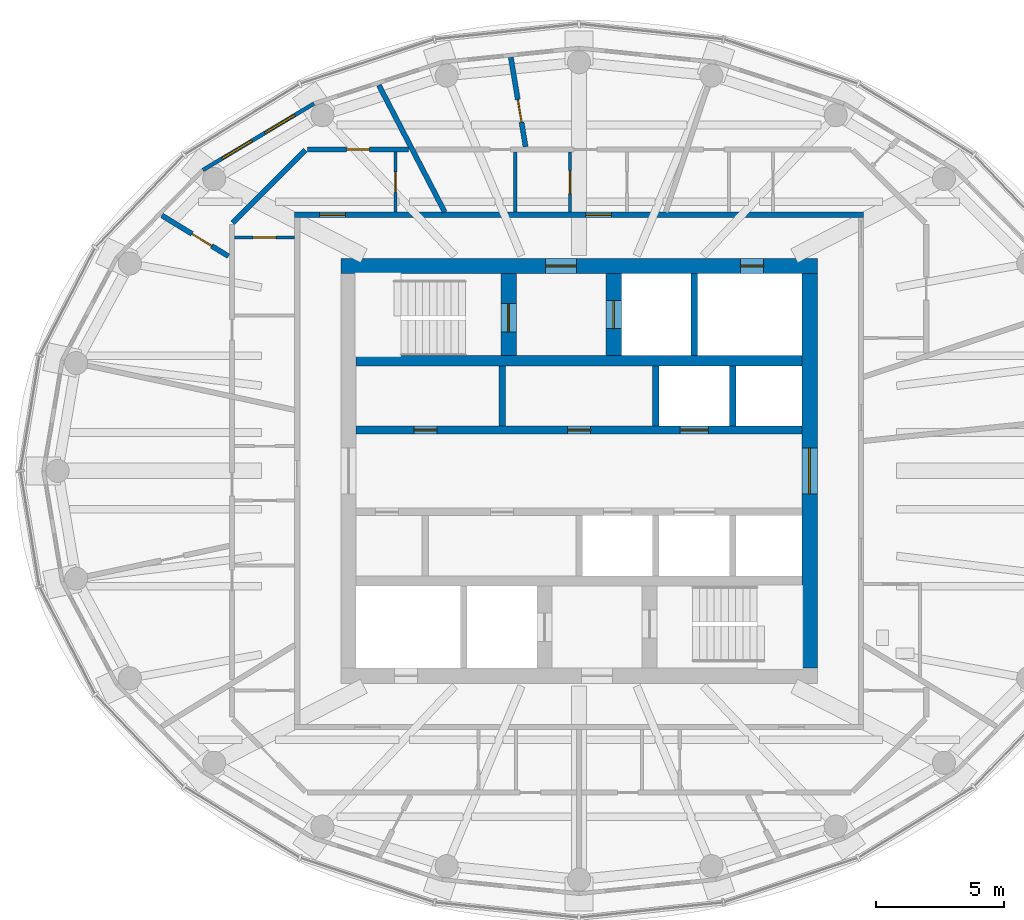
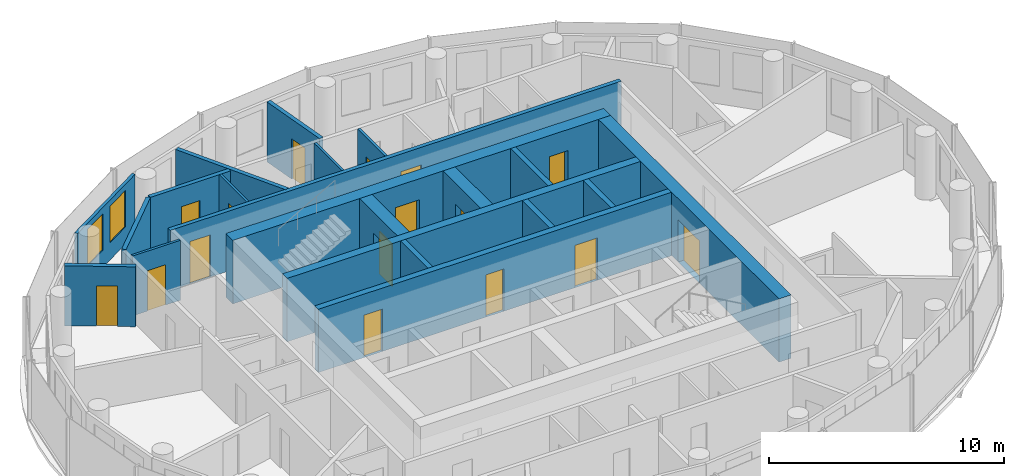
# One storey, part 7 of 11: 21 walls, 16 doors, 2 windows, 18 openings.
"""IFC4 building model written with IfcOpenShell, lengths in metres."""

from ifc_helpers import new_model, si_unit, direction, frame, frame_2d, origin, place, context, subcontext, project, spatial, rectangle, extrude, material, layer, layer_set, type_object, element, fill, save


model = new_model("IFC4")

# Units and contexts
model_context = context("Model", 3, precision=1e-05, world=origin(), true_north=direction((0.0, 1.0)))
body_context = subcontext(model_context, "Body", "Model", "MODEL_VIEW")
ifc_project = project(units=[si_unit("LENGTHUNIT", "METRE"), si_unit("AREAUNIT", "SQUARE_METRE"), si_unit("VOLUMEUNIT", "CUBIC_METRE"), si_unit("PLANEANGLEUNIT", "RADIAN"), si_unit("MASSUNIT", "GRAM", prefix="KILO")], contexts=[model_context])

# Site, building, storey
site_placement = place(None, origin())
site = spatial("IfcSite", under=ifc_project, at=site_placement, CompositionType="ELEMENT")
building_placement = place(site_placement, origin())
building = spatial("IfcBuilding", under=site, at=building_placement, Name="Hankou Lantern Tower", CompositionType="ELEMENT")
storey_placement = place(building_placement, frame((0.0, 0.0, 192.89990234375)))
storey = spatial("IfcBuildingStorey", under=building, at=storey_placement, Name="L51", CompositionType="ELEMENT", Elevation=192.89990234375)

# Wall, openings, doors
ifc_material_1 = material(Name="Concrete C60", Category="concrete")
ifc_layer_1 = layer(ifc_material_1, 0.60009765625)
ifc_layer_set_1 = layer_set([ifc_layer_1], Name="Concrete C60")
wall_type_1 = type_object("IfcWallType", Name="CW3 CORE WALL 600", PredefinedType="SHEAR", material=ifc_layer_set_1)
wall_1_placement = place(storey_placement, frame((-9.300048828125, 8.0, 0.0), z_axis=(0.0, 0.0, 1.0), x_axis=(1.0, 0.0, 0.0)))
wall_1 = element("IfcWall", 1, at=wall_1_placement, inside=storey, type_object=wall_type_1, Name="Core wall north L51", PredefinedType="SHEAR", context=body_context, shape_type="SweptSolid", body=[
    extrude(rectangle(XDim=18.60009765625, YDim=0.60009765625, at=frame_2d((9.300048828125, 0.0))), origin(), (0.0, 0.0, 1.0), 3.300048828125),
])
opening_1_placement = place(wall_1_placement, frame((8.0, 0.0, 0.0)))
opening_1 = element("IfcOpeningElement", 2, at=opening_1_placement, cuts=wall_1, Name="Opening D5", PredefinedType="OPENING", context=body_context, shape_type="SweptSolid", body=[
    extrude(rectangle(XDim=1.199951171875, YDim=2.199951171875, at=frame_2d((0.60009765625, 1.10009765625))), frame((0.0, 0.31005859375, 0.0), z_axis=(0.0, -1.0, 0.0), x_axis=(1.0, 0.0, 0.0)), (0.0, 0.0, 1.0), 0.6201171875),
])
opening_2_placement = place(wall_1_placement, frame((15.60009765625, 0.0, 0.0)))
opening_2 = element("IfcOpeningElement", 3, at=opening_2_placement, cuts=wall_1, Name="Opening D7", PredefinedType="OPENING", context=body_context, shape_type="SweptSolid", body=[
    extrude(rectangle(XDim=0.89990234375, YDim=2.199951171875, at=frame_2d((0.449951171875, 1.10009765625))), frame((0.0, 0.31005859375, 0.0), z_axis=(0.0, -1.0, 0.0), x_axis=(1.0, 0.0, 0.0)), (0.0, 0.0, 1.0), 0.6201171875),
])
ifc_material_2 = material(Name="Steel door leaf", Category="steel")
door_type_1 = type_object("IfcDoorType", Name="D5 STAIR LOBBY DOOR 1200X2200", OperationType="SINGLE_SWING_LEFT", PredefinedType="DOOR", material=ifc_material_2)
door_1_placement = place(opening_1_placement, origin())
door_1 = element("IfcDoor", 4, at=door_1_placement, inside=storey, type_object=door_type_1, Name="Stair A lobby door", OperationType="SINGLE_SWING_LEFT", OverallHeight=2.199951171875, OverallWidth=1.199951171875, PredefinedType="DOOR", context=body_context, shape_type="SweptSolid", body=[
    extrude(rectangle(XDim=1.199951171875, YDim=2.199951171875, at=frame_2d((0.60009765625, 1.10009765625))), frame((0.0, 0.02490234375, 0.0), z_axis=(0.0, -1.0, 0.0), x_axis=(1.0, 0.0, 0.0)), (0.0, 0.0, 1.0), 0.050048828125),
])
fill(opening_1, door_1)
ifc_material_3 = material(Name="Steel door leaf", Category="steel")
door_type_2 = type_object("IfcDoorType", Name="D7 RISER DOOR 900X2200", OperationType="SINGLE_SWING_LEFT", PredefinedType="DOOR", material=ifc_material_3)
door_2_placement = place(opening_2_placement, origin())
door_2 = element("IfcDoor", 5, at=door_2_placement, inside=storey, type_object=door_type_2, Name="Riser N1 door", OperationType="SINGLE_SWING_RIGHT", OverallHeight=2.199951171875, OverallWidth=0.89990234375, PredefinedType="DOOR", context=body_context, shape_type="SweptSolid", body=[
    extrude(rectangle(XDim=0.89990234375, YDim=2.199951171875, at=frame_2d((0.449951171875, 1.10009765625))), frame((0.0, 0.02490234375, 0.0), z_axis=(0.0, -1.0, 0.0), x_axis=(1.0, 0.0, 0.0)), (0.0, 0.0, 1.0), 0.050048828125),
])
fill(opening_2, door_2)

# Wall, opening, door
wall_2_placement = place(storey_placement, frame((9.0, -7.699951171875, 0.0), z_axis=(0.0, 0.0, 1.0), x_axis=(0.0, 1.0, 0.0)))
wall_2 = element("IfcWall", 6, at=wall_2_placement, inside=storey, type_object=wall_type_1, Name="Core wall east L51", PredefinedType="SHEAR", context=body_context, shape_type="SweptSolid", body=[
    extrude(rectangle(XDim=15.39990234375, YDim=0.60009765625, at=frame_2d((7.699951171875, 0.0))), origin(), (0.0, 0.0, 1.0), 3.300048828125),
])
opening_3_placement = place(wall_2_placement, frame((6.800048828125, 0.0, 0.0)))
opening_3 = element("IfcOpeningElement", 7, at=opening_3_placement, cuts=wall_2, Name="Opening D6", PredefinedType="OPENING", context=body_context, shape_type="SweptSolid", body=[
    extrude(rectangle(XDim=1.800048828125, YDim=2.199951171875, at=frame_2d((0.89990234375, 1.10009765625))), frame((0.0, 0.31005859375, 0.0), z_axis=(0.0, -1.0, 0.0), x_axis=(1.0, 0.0, 0.0)), (0.0, 0.0, 1.0), 0.6201171875),
])
ifc_material_4 = material(Name="Steel door leaf", Category="steel")
door_type_3 = type_object("IfcDoorType", Name="D6 LIFT LOBBY DOOR 1800X2200", OperationType="DOUBLE_DOOR_DOUBLE_SWING", PredefinedType="DOOR", material=ifc_material_4)
door_3_placement = place(opening_3_placement, origin())
door_3 = element("IfcDoor", 8, at=door_3_placement, inside=storey, type_object=door_type_3, Name="Lift lobby east door", OperationType="DOUBLE_DOOR_DOUBLE_SWING", OverallHeight=2.199951171875, OverallWidth=1.800048828125, PredefinedType="DOOR", context=body_context, shape_type="SweptSolid", body=[
    extrude(rectangle(XDim=1.800048828125, YDim=2.199951171875, at=frame_2d((0.89990234375, 1.10009765625))), frame((0.0, 0.02490234375, 0.0), z_axis=(0.0, -1.0, 0.0), x_axis=(1.0, 0.0, 0.0)), (0.0, 0.0, 1.0), 0.050048828125),
])
fill(opening_3, door_3)

# Wall
ifc_material_5 = material(Name="Concrete C60", Category="concrete")
ifc_layer_2 = layer(ifc_material_5, 0.39990234375)
ifc_layer_set_2 = layer_set([ifc_layer_2], Name="Concrete C60")
wall_type_2 = type_object("IfcWallType", Name="CW4 CORE CROSS WALL 400", PredefinedType="SHEAR", material=ifc_layer_set_2)
wall_3_placement = place(storey_placement, frame((-8.699951171875, 4.300048828125, 0.0), z_axis=(0.0, 0.0, 1.0), x_axis=(1.0, 0.0, 0.0)))
element("IfcWall", 9, at=wall_3_placement, inside=storey, type_object=wall_type_2, Name="Core band wall north L51", PredefinedType="SHEAR", context=body_context, shape_type="SweptSolid", body=[
    extrude(rectangle(XDim=17.39990234375, YDim=0.39990234375, at=frame_2d((8.699951171875, 0.0))), origin(), (0.0, 0.0, 1.0), 3.300048828125),
])

# Wall, openings, doors
ifc_material_6 = material(Name="Concrete C60", Category="concrete")
ifc_layer_3 = layer(ifc_material_6, 0.300048828125)
ifc_layer_set_3 = layer_set([ifc_layer_3], Name="Concrete C60")
wall_type_3 = type_object("IfcWallType", Name="CW5 LIFT LOBBY WALL 300", PredefinedType="SHEAR", material=ifc_layer_set_3)
wall_4_placement = place(storey_placement, frame((-8.699951171875, 1.60009765625, 0.0), z_axis=(0.0, 0.0, 1.0), x_axis=(1.0, 0.0, 0.0)))
wall_4 = element("IfcWall", 10, at=wall_4_placement, inside=storey, type_object=wall_type_3, Name="Lift lobby wall north L51", PredefinedType="SHEAR", context=body_context, shape_type="SweptSolid", body=[
    extrude(rectangle(XDim=17.39990234375, YDim=0.300048828125, at=frame_2d((8.699951171875, 0.0))), origin(), (0.0, 0.0, 1.0), 3.300048828125),
])
opening_4_placement = place(wall_4_placement, frame((12.64990234375, 0.0, 0.0)))
opening_4 = element("IfcOpeningElement", 11, at=opening_4_placement, cuts=wall_4, Name="Opening LD1", PredefinedType="OPENING", context=body_context, shape_type="SweptSolid", body=[
    extrude(rectangle(XDim=1.10009765625, YDim=2.199951171875, at=frame_2d((0.550048828125, 1.10009765625))), frame((0.0, 0.159912109375, 0.0), z_axis=(0.0, -1.0, 0.0), x_axis=(1.0, 0.0, 0.0)), (0.0, 0.0, 1.0), 0.320068359375),
])
opening_5_placement = place(wall_4_placement, frame((2.25, 0.0, 0.0)))
opening_5 = element("IfcOpeningElement", 12, at=opening_5_placement, cuts=wall_4, Name="Opening D30", PredefinedType="OPENING", context=body_context, shape_type="SweptSolid", body=[
    extrude(rectangle(XDim=0.89990234375, YDim=2.199951171875, at=frame_2d((0.449951171875, 1.10009765625))), frame((0.0, 0.159912109375, 0.0), z_axis=(0.0, -1.0, 0.0), x_axis=(1.0, 0.0, 0.0)), (0.0, 0.0, 1.0), 0.320068359375),
])
opening_6_placement = place(wall_4_placement, frame((8.25, 0.0, 0.0)))
opening_6 = element("IfcOpeningElement", 13, at=opening_6_placement, cuts=wall_4, Name="Opening D30", PredefinedType="OPENING", context=body_context, shape_type="SweptSolid", body=[
    extrude(rectangle(XDim=0.89990234375, YDim=2.199951171875, at=frame_2d((0.449951171875, 1.10009765625))), frame((0.0, 0.159912109375, 0.0), z_axis=(0.0, -1.0, 0.0), x_axis=(1.0, 0.0, 0.0)), (0.0, 0.0, 1.0), 0.320068359375),
])
ifc_material_7 = material(Name="Steel door leaf", Category="steel")
door_type_4 = type_object("IfcDoorType", Name="D30 CORE ROOM DOOR 900X2200", OperationType="SINGLE_SWING_LEFT", PredefinedType="DOOR", material=ifc_material_7)
door_4_placement = place(opening_5_placement, origin())
door_4 = element("IfcDoor", 14, at=door_4_placement, inside=storey, type_object=door_type_4, Name="Staff locker room door", OperationType="SINGLE_SWING_LEFT", OverallHeight=2.199951171875, OverallWidth=0.89990234375, PredefinedType="DOOR", context=body_context, shape_type="SweptSolid", body=[
    extrude(rectangle(XDim=0.89990234375, YDim=2.199951171875, at=frame_2d((0.449951171875, 1.10009765625))), frame((0.0, 0.02490234375, 0.0), z_axis=(0.0, -1.0, 0.0), x_axis=(1.0, 0.0, 0.0)), (0.0, 0.0, 1.0), 0.050048828125),
])
fill(opening_5, door_4)
door_5_placement = place(opening_6_placement, origin())
door_5 = element("IfcDoor", 15, at=door_5_placement, inside=storey, type_object=door_type_4, Name="IT and telecoms room door", OperationType="SINGLE_SWING_LEFT", OverallHeight=2.199951171875, OverallWidth=0.89990234375, PredefinedType="DOOR", context=body_context, shape_type="SweptSolid", body=[
    extrude(rectangle(XDim=0.89990234375, YDim=2.199951171875, at=frame_2d((0.449951171875, 1.10009765625))), frame((0.0, 0.02490234375, 0.0), z_axis=(0.0, -1.0, 0.0), x_axis=(1.0, 0.0, 0.0)), (0.0, 0.0, 1.0), 0.050048828125),
])
fill(opening_6, door_5)
ifc_material_8 = material(Name="Steel door leaf", Category="steel")
door_type_5 = type_object("IfcDoorType", Name="LD1 LIFT LANDING DOOR 1100X2200", OperationType="DOUBLE_DOOR_SLIDING", PredefinedType="DOOR", material=ifc_material_8)
door_6_placement = place(opening_4_placement, origin())
door_6 = element("IfcDoor", 16, at=door_6_placement, inside=storey, type_object=door_type_5, Name="Lift T1 landing door", OperationType="DOUBLE_DOOR_SLIDING", OverallHeight=2.199951171875, OverallWidth=1.10009765625, PredefinedType="DOOR", context=body_context, shape_type="SweptSolid", body=[
    extrude(rectangle(XDim=1.10009765625, YDim=2.199951171875, at=frame_2d((0.550048828125, 1.10009765625))), frame((0.0, 0.02490234375, 0.0), z_axis=(0.0, -1.0, 0.0), x_axis=(1.0, 0.0, 0.0)), (0.0, 0.0, 1.0), 0.050048828125),
])
fill(opening_4, door_6)

# Wall, opening, door
ifc_material_9 = material(Name="Concrete C60", Category="concrete")
ifc_layer_4 = layer(ifc_material_9, 0.60009765625)
ifc_layer_set_4 = layer_set([ifc_layer_4], Name="Concrete C60")
wall_type_4 = type_object("IfcWallType", Name="CW6 STAIR AND SHAFT WALL 600", PredefinedType="SHEAR", material=ifc_layer_set_4)
wall_5_placement = place(storey_placement, frame((-2.75, 4.5, 0.0), z_axis=(0.0, 0.0, 1.0), x_axis=(0.0, 1.0, 0.0)))
wall_5 = element("IfcWall", 17, at=wall_5_placement, inside=storey, type_object=wall_type_4, Name="Stair wall L51", PredefinedType="SHEAR", context=body_context, shape_type="SweptSolid", body=[
    extrude(rectangle(XDim=3.199951171875, YDim=0.60009765625, at=frame_2d((1.60009765625, 0.0))), origin(), (0.0, 0.0, 1.0), 3.300048828125),
])
opening_7_placement = place(wall_5_placement, frame((0.925048828125, 0.0, 0.0)))
opening_7 = element("IfcOpeningElement", 18, at=opening_7_placement, cuts=wall_5, Name="Opening D4", PredefinedType="OPENING", context=body_context, shape_type="SweptSolid", body=[
    extrude(rectangle(XDim=1.10009765625, YDim=2.199951171875, at=frame_2d((0.550048828125, 1.10009765625))), frame((0.0, 0.31005859375, 0.0), z_axis=(0.0, -1.0, 0.0), x_axis=(1.0, 0.0, 0.0)), (0.0, 0.0, 1.0), 0.6201171875),
])
ifc_material_10 = material(Name="Steel door leaf", Category="steel")
door_type_6 = type_object("IfcDoorType", Name="D4 STAIR DOOR 1100X2200", OperationType="SINGLE_SWING_LEFT", PredefinedType="DOOR", material=ifc_material_10)
door_7_placement = place(opening_7_placement, origin())
door_7 = element("IfcDoor", 19, at=door_7_placement, inside=storey, type_object=door_type_6, Name="Stair A door", OperationType="SINGLE_SWING_LEFT", OverallHeight=2.199951171875, OverallWidth=1.10009765625, PredefinedType="DOOR", context=body_context, shape_type="SweptSolid", body=[
    extrude(rectangle(XDim=1.10009765625, YDim=2.199951171875, at=frame_2d((0.550048828125, 1.10009765625))), frame((0.0, 0.02490234375, 0.0), z_axis=(0.0, -1.0, 0.0), x_axis=(1.0, 0.0, 0.0)), (0.0, 0.0, 1.0), 0.050048828125),
])
fill(opening_7, door_7)

wall_6_placement = place(storey_placement, frame((1.35009765625, 4.5, 0.0), z_axis=(0.0, 0.0, 1.0), x_axis=(0.0, 1.0, 0.0)))
wall_6 = element("IfcWall", 20, at=wall_6_placement, inside=storey, type_object=wall_type_4, Name="Firefighting lift shaft wall L51", PredefinedType="SHEAR", context=body_context, shape_type="SweptSolid", body=[
    extrude(rectangle(XDim=3.199951171875, YDim=0.60009765625, at=frame_2d((1.60009765625, 0.0))), origin(), (0.0, 0.0, 1.0), 3.300048828125),
])
opening_8_placement = place(wall_6_placement, frame((1.050048828125, 0.0, 0.0)))
opening_8 = element("IfcOpeningElement", 21, at=opening_8_placement, cuts=wall_6, Name="Opening LD2", PredefinedType="OPENING", context=body_context, shape_type="SweptSolid", body=[
    extrude(rectangle(XDim=1.10009765625, YDim=2.199951171875, at=frame_2d((0.550048828125, 1.10009765625))), frame((0.0, 0.31005859375, 0.0), z_axis=(0.0, -1.0, 0.0), x_axis=(1.0, 0.0, 0.0)), (0.0, 0.0, 1.0), 0.6201171875),
])
ifc_material_11 = material(Name="Steel door leaf", Category="steel")
door_type_7 = type_object("IfcDoorType", Name="LD2 FIREFIGHTING LIFT LANDING DOOR 1100X2200", OperationType="DOUBLE_DOOR_SLIDING", PredefinedType="DOOR", material=ifc_material_11)
door_8_placement = place(opening_8_placement, origin())
door_8 = element("IfcDoor", 22, at=door_8_placement, inside=storey, type_object=door_type_7, Name="Firefighting lift FL1 landing door", OperationType="DOUBLE_DOOR_SLIDING", OverallHeight=2.199951171875, OverallWidth=1.10009765625, PredefinedType="DOOR", context=body_context, shape_type="SweptSolid", body=[
    extrude(rectangle(XDim=1.10009765625, YDim=2.199951171875, at=frame_2d((0.550048828125, 1.10009765625))), frame((0.0, 0.02490234375, 0.0), z_axis=(0.0, -1.0, 0.0), x_axis=(1.0, 0.0, 0.0)), (0.0, 0.0, 1.0), 0.050048828125),
])
fill(opening_8, door_8)

# Wall, openings, windows
ifc_material_12 = material(Name="Aluminium spandrel panel on steel studs", Category="steel")
ifc_layer_5 = layer(ifc_material_12, 0.14990234375)
ifc_layer_set_5 = layer_set([ifc_layer_5], Name="Aluminium spandrel panel on steel studs")
wall_type_5 = type_object("IfcWallType", Name="EW1 INNER SKIN WALL 150", PredefinedType="ELEMENTEDWALL", material=ifc_layer_set_5)
wall_7_placement = place(storey_placement, frame((-10.346435546875, 14.33642578125, 0.0), z_axis=(0.0, 0.0, 1.0), x_axis=(-0.85822150553, -0.513279502265, 0.0)))
wall_7 = element("IfcWall", 23, at=wall_7_placement, inside=storey, type_object=wall_type_5, Name="Inner skin R09-R10 L51", PredefinedType="ELEMENTEDWALL", context=body_context, shape_type="SweptSolid", body=[
    extrude(rectangle(XDim=5.050048828125, YDim=0.14990234375, at=frame_2d((2.52490234375, 0.0))), origin(), (0.0, 0.0, 1.0), 3.1201171875),
])
opening_9_placement = place(wall_7_placement, frame((0.875, 0.0, 0.89990234375)))
opening_9 = element("IfcOpeningElement", 24, at=opening_9_placement, cuts=wall_7, Name="Opening W4", PredefinedType="OPENING", context=body_context, shape_type="SweptSolid", body=[
    extrude(rectangle(XDim=1.35009765625, YDim=1.89990234375, at=frame_2d((0.675048828125, 0.949951171875))), frame((0.0, 0.0849609375, 0.0), z_axis=(0.0, -1.0, 0.0), x_axis=(1.0, 0.0, 0.0)), (0.0, 0.0, 1.0), 0.169921875),
])
opening_10_placement = place(wall_7_placement, frame((2.824951171875, 0.0, 0.89990234375)))
opening_10 = element("IfcOpeningElement", 25, at=opening_10_placement, cuts=wall_7, Name="Opening W4", PredefinedType="OPENING", context=body_context, shape_type="SweptSolid", body=[
    extrude(rectangle(XDim=1.35009765625, YDim=1.89990234375, at=frame_2d((0.675048828125, 0.949951171875))), frame((0.0, 0.0849609375, 0.0), z_axis=(0.0, -1.0, 0.0), x_axis=(1.0, 0.0, 0.0)), (0.0, 0.0, 1.0), 0.169921875),
])
ifc_material_13 = material(Name="Aluminium framed double glazed window", Category="aluminium")
window_type = type_object("IfcWindowType", Name="W4 SUITE WINDOW 1350X1900", PartitioningType="DOUBLE_PANEL_VERTICAL", PredefinedType="WINDOW", material=ifc_material_13)
window_1_placement = place(opening_9_placement, origin())
window_1 = element("IfcWindow", 26, at=window_1_placement, inside=storey, type_object=window_type, Name="Window R09.1 L51", OverallHeight=1.89990234375, OverallWidth=1.35009765625, PartitioningType="SINGLE_PANEL", PredefinedType="WINDOW", context=body_context, shape_type="SweptSolid", body=[
    extrude(rectangle(XDim=1.35009765625, YDim=1.89990234375, at=frame_2d((0.675048828125, 0.949951171875))), frame((0.0, 0.030029296875, 0.0), z_axis=(0.0, -1.0, 0.0), x_axis=(1.0, 0.0, 0.0)), (0.0, 0.0, 1.0), 0.06005859375),
])
fill(opening_9, window_1)
window_2_placement = place(opening_10_placement, origin())
window_2 = element("IfcWindow", 27, at=window_2_placement, inside=storey, type_object=window_type, Name="Window R09.2 L51", OverallHeight=1.89990234375, OverallWidth=1.35009765625, PartitioningType="SINGLE_PANEL", PredefinedType="WINDOW", context=body_context, shape_type="SweptSolid", body=[
    extrude(rectangle(XDim=1.35009765625, YDim=1.89990234375, at=frame_2d((0.675048828125, 0.949951171875))), frame((0.0, 0.030029296875, 0.0), z_axis=(0.0, -1.0, 0.0), x_axis=(1.0, 0.0, 0.0)), (0.0, 0.0, 1.0), 0.06005859375),
])
fill(opening_10, window_2)

# Wall
ifc_material_14 = material(Name="Masonry lightweight concrete block", Category="masonry")
ifc_layer_6 = layer(ifc_material_14, 0.199951171875)
ifc_layer_set_6 = layer_set([ifc_layer_6], Name="Masonry lightweight concrete block")
wall_type_6 = type_object("IfcWallType", Name="IW1 GUEST ROOM PARTY WALL 200", PredefinedType="PARTITIONING", material=ifc_layer_set_6)
wall_8_placement = place(storey_placement, frame((-5.2412109375, 10.10009765625, 0.0), z_axis=(0.0, 0.0, 1.0), x_axis=(-0.460603196597, 0.887606160008, 0.0)))
element("IfcWall", 28, at=wall_8_placement, inside=storey, type_object=wall_type_6, Name="Party wall R08-R09", PredefinedType="PARTITIONING", context=body_context, shape_type="SweptSolid", body=[
    extrude(rectangle(XDim=5.580322265625, YDim=0.199951171875, at=frame_2d((2.7900390625, 0.0))), origin(), (0.0, 0.0, 1.0), 3.1201171875),
])

# Wall, openings, doors
ifc_material_15 = material(Name="Masonry lightweight concrete block", Category="masonry")
ifc_layer_7 = layer(ifc_material_15, 0.199951171875)
ifc_layer_set_7 = layer_set([ifc_layer_7], Name="Masonry lightweight concrete block")
wall_type_7 = type_object("IfcWallType", Name="IW2 CORRIDOR WALL 200", PredefinedType="PARTITIONING", material=ifc_layer_set_7)
wall_9_placement = place(storey_placement, frame((-11.10009765625, 10.0, 0.0), z_axis=(0.0, 0.0, 1.0), x_axis=(1.0, 0.0, 0.0)))
wall_9 = element("IfcWall", 29, at=wall_9_placement, inside=storey, type_object=wall_type_7, Name="Corridor wall north", PredefinedType="PARTITIONING", context=body_context, shape_type="SweptSolid", body=[
    extrude(rectangle(XDim=22.2001953125, YDim=0.199951171875, at=frame_2d((11.10009765625, 0.0))), origin(), (0.0, 0.0, 1.0), 3.1201171875),
])
opening_11_placement = place(wall_9_placement, frame((11.359619140625, 0.0, 0.0)))
opening_11 = element("IfcOpeningElement", 30, at=opening_11_placement, cuts=wall_9, Name="Opening D2", PredefinedType="OPENING", context=body_context, shape_type="SweptSolid", body=[
    extrude(rectangle(XDim=1.0, YDim=2.199951171875, at=frame_2d((0.5, 1.10009765625))), frame((0.0, 0.10986328125, 0.0), z_axis=(0.0, -1.0, 0.0), x_axis=(1.0, 0.0, 0.0)), (0.0, 0.0, 1.0), 0.219970703125),
])
opening_12_placement = place(wall_9_placement, frame((0.97509765625, 0.0, 0.0)))
opening_12 = element("IfcOpeningElement", 31, at=opening_12_placement, cuts=wall_9, Name="Opening D2", PredefinedType="OPENING", context=body_context, shape_type="SweptSolid", body=[
    extrude(rectangle(XDim=1.0, YDim=2.199951171875, at=frame_2d((0.5, 1.10009765625))), frame((0.0, 0.10986328125, 0.0), z_axis=(0.0, -1.0, 0.0), x_axis=(1.0, 0.0, 0.0)), (0.0, 0.0, 1.0), 0.219970703125),
])
ifc_material_16 = material(Name="Steel door leaf", Category="steel")
door_type_8 = type_object("IfcDoorType", Name="D2 SUITE DOOR 1000X2200", OperationType="SINGLE_SWING_LEFT", PredefinedType="DOOR", material=ifc_material_16)
door_9_placement = place(opening_11_placement, origin())
door_9 = element("IfcDoor", 32, at=door_9_placement, inside=storey, type_object=door_type_8, Name="Suite door 5103", OperationType="SINGLE_SWING_RIGHT", OverallHeight=2.199951171875, OverallWidth=1.0, PredefinedType="DOOR", context=body_context, shape_type="SweptSolid", body=[
    extrude(rectangle(XDim=1.0, YDim=2.199951171875, at=frame_2d((0.5, 1.10009765625))), frame((0.0, 0.02490234375, 0.0), z_axis=(0.0, -1.0, 0.0), x_axis=(1.0, 0.0, 0.0)), (0.0, 0.0, 1.0), 0.050048828125),
])
fill(opening_11, door_9)
door_10_placement = place(opening_12_placement, origin())
door_10 = element("IfcDoor", 33, at=door_10_placement, inside=storey, type_object=door_type_8, Name="Suite door 5104", OperationType="SINGLE_SWING_RIGHT", OverallHeight=2.199951171875, OverallWidth=1.0, PredefinedType="DOOR", context=body_context, shape_type="SweptSolid", body=[
    extrude(rectangle(XDim=1.0, YDim=2.199951171875, at=frame_2d((0.5, 1.10009765625))), frame((0.0, 0.02490234375, 0.0), z_axis=(0.0, -1.0, 0.0), x_axis=(1.0, 0.0, 0.0)), (0.0, 0.0, 1.0), 0.050048828125),
])
fill(opening_12, door_10)

# Wall, opening, door
ifc_material_17 = material(Name="Masonry lightweight concrete block", Category="masonry")
ifc_layer_8 = layer(ifc_material_17, 0.1201171875)
ifc_layer_set_8 = layer_set([ifc_layer_8], Name="Masonry lightweight concrete block")
wall_type_8 = type_object("IfcWallType", Name="IW3 BATHROOM WALL 120", PredefinedType="PARTITIONING", material=ifc_layer_set_8)
wall_10_placement = place(storey_placement, frame((-0.350341796875, 10.10009765625, 0.0), z_axis=(0.0, 0.0, 1.0), x_axis=(0.0, 1.0, 0.0)))
wall_10 = element("IfcWall", 34, at=wall_10_placement, inside=storey, type_object=wall_type_8, Name="Box wall 5103 2", PredefinedType="PARTITIONING", context=body_context, shape_type="SweptSolid", body=[
    extrude(rectangle(XDim=2.349853515625, YDim=0.1201171875, at=frame_2d((1.1748046875, 0.0))), origin(), (0.0, 0.0, 1.0), 3.1201171875),
])
opening_13_placement = place(wall_10_placement, frame((0.719970703125, 0.0, 0.0)))
opening_13 = element("IfcOpeningElement", 35, at=opening_13_placement, cuts=wall_10, Name="Opening D27", PredefinedType="OPENING", context=body_context, shape_type="SweptSolid", body=[
    extrude(rectangle(XDim=0.89990234375, YDim=2.10009765625, at=frame_2d((0.449951171875, 1.050048828125))), frame((0.0, 0.070068359375, 0.0), z_axis=(0.0, -1.0, 0.0), x_axis=(1.0, 0.0, 0.0)), (0.0, 0.0, 1.0), 0.14013671875),
])
ifc_material_18 = material(Name="Timber door leaf", Category="wood")
door_type_9 = type_object("IfcDoorType", Name="D27 INTERNAL DOOR 900X2100", OperationType="SINGLE_SWING_LEFT", PredefinedType="DOOR", material=ifc_material_18)
door_11_placement = place(opening_13_placement, origin())
door_11 = element("IfcDoor", 36, at=door_11_placement, inside=storey, type_object=door_type_9, Name="Suite 5103 walk-in wardrobe door", OperationType="SINGLE_SWING_LEFT", OverallHeight=2.10009765625, OverallWidth=0.89990234375, PredefinedType="DOOR", context=body_context, shape_type="SweptSolid", body=[
    extrude(rectangle(XDim=0.89990234375, YDim=2.10009765625, at=frame_2d((0.449951171875, 1.050048828125))), frame((0.0, 0.02490234375, 0.0), z_axis=(0.0, -1.0, 0.0), x_axis=(1.0, 0.0, 0.0)), (0.0, 0.0, 1.0), 0.050048828125),
])
fill(opening_13, door_11)

# Wall
wall_11_placement = place(storey_placement, frame((-2.489501953125, 10.10009765625, 0.0), z_axis=(0.0, 0.0, 1.0), x_axis=(0.0, 1.0, 0.0)))
element("IfcWall", 37, at=wall_11_placement, inside=storey, type_object=wall_type_8, Name="Box wall 5103 3", PredefinedType="PARTITIONING", context=body_context, shape_type="SweptSolid", body=[
    extrude(rectangle(XDim=2.349853515625, YDim=0.1201171875, at=frame_2d((1.1748046875, 0.0))), origin(), (0.0, 0.0, 1.0), 3.1201171875),
])

# Wall, opening, door
wall_12_placement = place(storey_placement, frame((-7.164794921875, 10.10009765625, 0.0), z_axis=(0.0, 0.0, 1.0), x_axis=(0.0, 1.0, 0.0)))
wall_12 = element("IfcWall", 38, at=wall_12_placement, inside=storey, type_object=wall_type_8, Name="Box wall 5104 1", PredefinedType="PARTITIONING", context=body_context, shape_type="SweptSolid", body=[
    extrude(rectangle(XDim=2.349853515625, YDim=0.1201171875, at=frame_2d((1.1748046875, 0.0))), origin(), (0.0, 0.0, 1.0), 3.1201171875),
])
opening_14_placement = place(wall_12_placement, frame((0.77001953125, 0.0, 0.0)))
opening_14 = element("IfcOpeningElement", 39, at=opening_14_placement, cuts=wall_12, Name="Opening D3", PredefinedType="OPENING", context=body_context, shape_type="SweptSolid", body=[
    extrude(rectangle(XDim=0.800048828125, YDim=2.10009765625, at=frame_2d((0.39990234375, 1.050048828125))), frame((0.0, 0.070068359375, 0.0), z_axis=(0.0, -1.0, 0.0), x_axis=(1.0, 0.0, 0.0)), (0.0, 0.0, 1.0), 0.14013671875),
])
ifc_material_19 = material(Name="Timber door leaf", Category="wood")
door_type_10 = type_object("IfcDoorType", Name="D3 BATHROOM DOOR 800X2100", OperationType="SINGLE_SWING_LEFT", PredefinedType="DOOR", material=ifc_material_19)
door_12_placement = place(opening_14_placement, origin())
door_12 = element("IfcDoor", 40, at=door_12_placement, inside=storey, type_object=door_type_10, Name="Suite 5104 guest WC door", OperationType="SINGLE_SWING_LEFT", OverallHeight=2.10009765625, OverallWidth=0.800048828125, PredefinedType="DOOR", context=body_context, shape_type="SweptSolid", body=[
    extrude(rectangle(XDim=0.800048828125, YDim=2.10009765625, at=frame_2d((0.39990234375, 1.050048828125))), frame((0.0, 0.02490234375, 0.0), z_axis=(0.0, -1.0, 0.0), x_axis=(1.0, 0.0, 0.0)), (0.0, 0.0, 1.0), 0.050048828125),
])
fill(opening_14, door_12)

wall_13_placement = place(storey_placement, frame((-11.10009765625, 9.114990234375, 0.0), z_axis=(0.0, 0.0, 1.0), x_axis=(-1.0, 0.0, 0.0)))
wall_13 = element("IfcWall", 41, at=wall_13_placement, inside=storey, type_object=wall_type_8, Name="Box wall 5104 2", PredefinedType="PARTITIONING", context=body_context, shape_type="SweptSolid", body=[
    extrude(rectangle(XDim=2.349853515625, YDim=0.1201171875, at=frame_2d((1.1748046875, 0.0))), origin(), (0.0, 0.0, 1.0), 3.1201171875),
])
opening_15_placement = place(wall_13_placement, frame((0.719970703125, 0.0, 0.0)))
opening_15 = element("IfcOpeningElement", 42, at=opening_15_placement, cuts=wall_13, Name="Opening D27", PredefinedType="OPENING", context=body_context, shape_type="SweptSolid", body=[
    extrude(rectangle(XDim=0.89990234375, YDim=2.10009765625, at=frame_2d((0.449951171875, 1.050048828125))), frame((0.0, 0.070068359375, 0.0), z_axis=(0.0, -1.0, 0.0), x_axis=(1.0, 0.0, 0.0)), (0.0, 0.0, 1.0), 0.14013671875),
])
door_13_placement = place(opening_15_placement, origin())
door_13 = element("IfcDoor", 43, at=door_13_placement, inside=storey, type_object=door_type_9, Name="Suite 5104 walk-in wardrobe door", OperationType="SINGLE_SWING_LEFT", OverallHeight=2.10009765625, OverallWidth=0.89990234375, PredefinedType="DOOR", context=body_context, shape_type="SweptSolid", body=[
    extrude(rectangle(XDim=0.89990234375, YDim=2.10009765625, at=frame_2d((0.449951171875, 1.050048828125))), frame((0.0, 0.02490234375, 0.0), z_axis=(0.0, -1.0, 0.0), x_axis=(1.0, 0.0, 0.0)), (0.0, 0.0, 1.0), 0.050048828125),
])
fill(opening_15, door_13)

ifc_material_20 = material(Name="Masonry lightweight concrete block", Category="masonry")
ifc_layer_9 = layer(ifc_material_20, 0.199951171875)
ifc_layer_set_9 = layer_set([ifc_layer_9], Name="Masonry lightweight concrete block")
wall_type_9 = type_object("IfcWallType", Name="IW6 SUITE PARTITION 200", PredefinedType="PARTITIONING", material=ifc_layer_set_9)
wall_14_placement = place(storey_placement, frame((-2.08642578125, 12.64990234375, 0.0), z_axis=(0.0, 0.0, 1.0), x_axis=(-0.162664077359, 0.986681507852, 0.0)))
wall_14 = element("IfcWall", 44, at=wall_14_placement, inside=storey, type_object=wall_type_9, Name="Suite partition R07-R08", PredefinedType="PARTITIONING", context=body_context, shape_type="SweptSolid", body=[
    extrude(rectangle(XDim=3.53759765625, YDim=0.199951171875, at=frame_2d((1.768798828125, 0.0))), origin(), (0.0, 0.0, 1.0), 3.1201171875),
])
opening_16_placement = place(wall_14_placement, frame((0.969970703125, 0.0, 0.0)))
opening_16 = element("IfcOpeningElement", 45, at=opening_16_placement, cuts=wall_14, Name="Opening D27", PredefinedType="OPENING", context=body_context, shape_type="SweptSolid", body=[
    extrude(rectangle(XDim=0.89990234375, YDim=2.10009765625, at=frame_2d((0.449951171875, 1.050048828125))), frame((0.0, 0.10986328125, 0.0), z_axis=(0.0, -1.0, 0.0), x_axis=(1.0, 0.0, 0.0)), (0.0, 0.0, 1.0), 0.219970703125),
])
door_14_placement = place(opening_16_placement, origin())
door_14 = element("IfcDoor", 46, at=door_14_placement, inside=storey, type_object=door_type_9, Name="Suite 5103 bedroom door", OperationType="SINGLE_SWING_LEFT", OverallHeight=2.10009765625, OverallWidth=0.89990234375, PredefinedType="DOOR", context=body_context, shape_type="SweptSolid", body=[
    extrude(rectangle(XDim=0.89990234375, YDim=2.10009765625, at=frame_2d((0.449951171875, 1.050048828125))), frame((0.0, 0.02490234375, 0.0), z_axis=(0.0, -1.0, 0.0), x_axis=(1.0, 0.0, 0.0)), (0.0, 0.0, 1.0), 0.050048828125),
])
fill(opening_16, door_14)

wall_15_placement = place(storey_placement, frame((-6.661376953125, 12.550048828125, 0.0), z_axis=(0.0, 0.0, 1.0), x_axis=(-1.0, 0.0, 0.0)))
wall_15 = element("IfcWall", 47, at=wall_15_placement, inside=storey, type_object=wall_type_9, Name="Suite foyer wall 5104", PredefinedType="PARTITIONING", context=body_context, shape_type="SweptSolid", body=[
    extrude(rectangle(XDim=3.947265625, YDim=0.199951171875, at=frame_2d((1.9736328125, 0.0))), origin(), (0.0, 0.0, 1.0), 3.1201171875),
])
opening_17_placement = place(wall_15_placement, frame((1.52001953125, 0.0, 0.0)))
opening_17 = element("IfcOpeningElement", 48, at=opening_17_placement, cuts=wall_15, Name="Opening D27", PredefinedType="OPENING", context=body_context, shape_type="SweptSolid", body=[
    extrude(rectangle(XDim=0.89990234375, YDim=2.10009765625, at=frame_2d((0.449951171875, 1.050048828125))), frame((0.0, 0.10986328125, 0.0), z_axis=(0.0, -1.0, 0.0), x_axis=(1.0, 0.0, 0.0)), (0.0, 0.0, 1.0), 0.219970703125),
])
door_15_placement = place(opening_17_placement, origin())
door_15 = element("IfcDoor", 49, at=door_15_placement, inside=storey, type_object=door_type_9, Name="Suite 5104 living room door", OperationType="SINGLE_SWING_LEFT", OverallHeight=2.10009765625, OverallWidth=0.89990234375, PredefinedType="DOOR", context=body_context, shape_type="SweptSolid", body=[
    extrude(rectangle(XDim=0.89990234375, YDim=2.10009765625, at=frame_2d((0.449951171875, 1.050048828125))), frame((0.0, 0.02490234375, 0.0), z_axis=(0.0, -1.0, 0.0), x_axis=(1.0, 0.0, 0.0)), (0.0, 0.0, 1.0), 0.050048828125),
])
fill(opening_17, door_15)

# Wall
wall_16_placement = place(storey_placement, frame((-10.67919921875, 12.520751953125, 0.0), z_axis=(0.0, 0.0, 1.0), x_axis=(-0.707106781187, -0.707106781187, 0.0)))
element("IfcWall", 50, at=wall_16_placement, inside=storey, type_object=wall_type_9, Name="Suite foyer wall 5104", PredefinedType="PARTITIONING", context=body_context, shape_type="SweptSolid", body=[
    extrude(rectangle(XDim=4.0185546875, YDim=0.199951171875, at=frame_2d((2.00927734375, 0.0))), origin(), (0.0, 0.0, 1.0), 3.1201171875),
])

# Wall, opening, door
wall_17_placement = place(storey_placement, frame((-13.68408203125, 8.379638671875, 0.0), z_axis=(0.0, 0.0, 1.0), x_axis=(-0.852784302627, 0.522263279576, 0.0)))
wall_17 = element("IfcWall", 51, at=wall_17_placement, inside=storey, type_object=wall_type_9, Name="Suite partition R10-R11", PredefinedType="PARTITIONING", context=body_context, shape_type="SweptSolid", body=[
    extrude(rectangle(XDim=3.046875, YDim=0.199951171875, at=frame_2d((1.5234375, 0.0))), origin(), (0.0, 0.0, 1.0), 3.1201171875),
])
opening_18_placement = place(wall_17_placement, frame((0.77001953125, 0.0, 0.0)))
opening_18 = element("IfcOpeningElement", 52, at=opening_18_placement, cuts=wall_17, Name="Opening D27", PredefinedType="OPENING", context=body_context, shape_type="SweptSolid", body=[
    extrude(rectangle(XDim=0.89990234375, YDim=2.10009765625, at=frame_2d((0.449951171875, 1.050048828125))), frame((0.0, 0.10986328125, 0.0), z_axis=(0.0, -1.0, 0.0), x_axis=(1.0, 0.0, 0.0)), (0.0, 0.0, 1.0), 0.219970703125),
])
door_16_placement = place(opening_18_placement, origin())
door_16 = element("IfcDoor", 53, at=door_16_placement, inside=storey, type_object=door_type_9, Name="Suite 5104 bedroom door", OperationType="SINGLE_SWING_LEFT", OverallHeight=2.10009765625, OverallWidth=0.89990234375, PredefinedType="DOOR", context=body_context, shape_type="SweptSolid", body=[
    extrude(rectangle(XDim=0.89990234375, YDim=2.10009765625, at=frame_2d((0.449951171875, 1.050048828125))), frame((0.0, 0.02490234375, 0.0), z_axis=(0.0, -1.0, 0.0), x_axis=(1.0, 0.0, 0.0)), (0.0, 0.0, 1.0), 0.050048828125),
])
fill(opening_18, door_16)

# Walls
ifc_material_21 = material(Name="Masonry autoclaved aerated concrete block", Category="masonry")
ifc_layer_10 = layer(ifc_material_21, 0.25)
ifc_layer_set_10 = layer_set([ifc_layer_10], Name="Masonry autoclaved aerated concrete block")
wall_type_10 = type_object("IfcWallType", Name="SW1 SHAFT BLOCK WALL 250", PredefinedType="PARTITIONING", material=ifc_layer_set_10)
wall_18_placement = place(storey_placement, frame((4.5, 4.5, 0.0), z_axis=(0.0, 0.0, 1.0), x_axis=(0.0, 1.0, 0.0)))
element("IfcWall", 54, at=wall_18_placement, inside=storey, type_object=wall_type_10, Name="Riser wall L51", PredefinedType="PARTITIONING", context=body_context, shape_type="SweptSolid", body=[
    extrude(rectangle(XDim=3.199951171875, YDim=0.25, at=frame_2d((1.60009765625, 0.0))), origin(), (0.0, 0.0, 1.0), 3.300048828125),
])
for number, where, z_axis, x_axis, name in (
    (55, (-3.0, 1.75, 0.0), (0.0, 0.0, 1.0), (0.0, 1.0, 0.0), "Lift shaft wall L51"),
    (56, (3.0, 1.75, 0.0), (0.0, 0.0, 1.0), (0.0, 1.0, 0.0), "Lift shaft wall L51"),
    (57, (6.0, 1.75, 0.0), (0.0, 0.0, 1.0), (0.0, 1.0, 0.0), "Lift shaft wall L51"),
):
    element("IfcWall", number, at=place(storey_placement, frame(where, z_axis=z_axis, x_axis=x_axis)), inside=storey, type_object=wall_type_10, Name=name, PredefinedType="PARTITIONING", context=body_context, shape_type="SweptSolid", body=[
        extrude(rectangle(XDim=2.35009765625, YDim=0.25, at=frame_2d((1.175048828125, 0.0))), origin(), (0.0, 0.0, 1.0), 3.300048828125),
    ])

save(model, "model.ifc")
